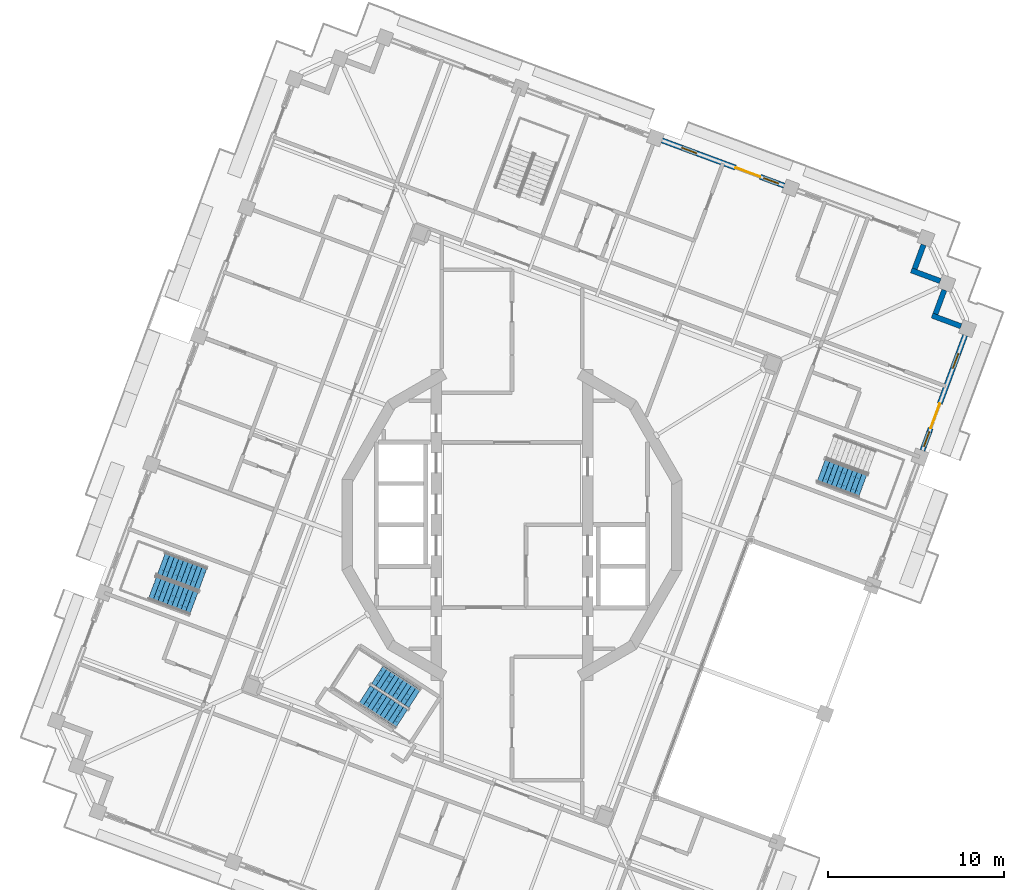
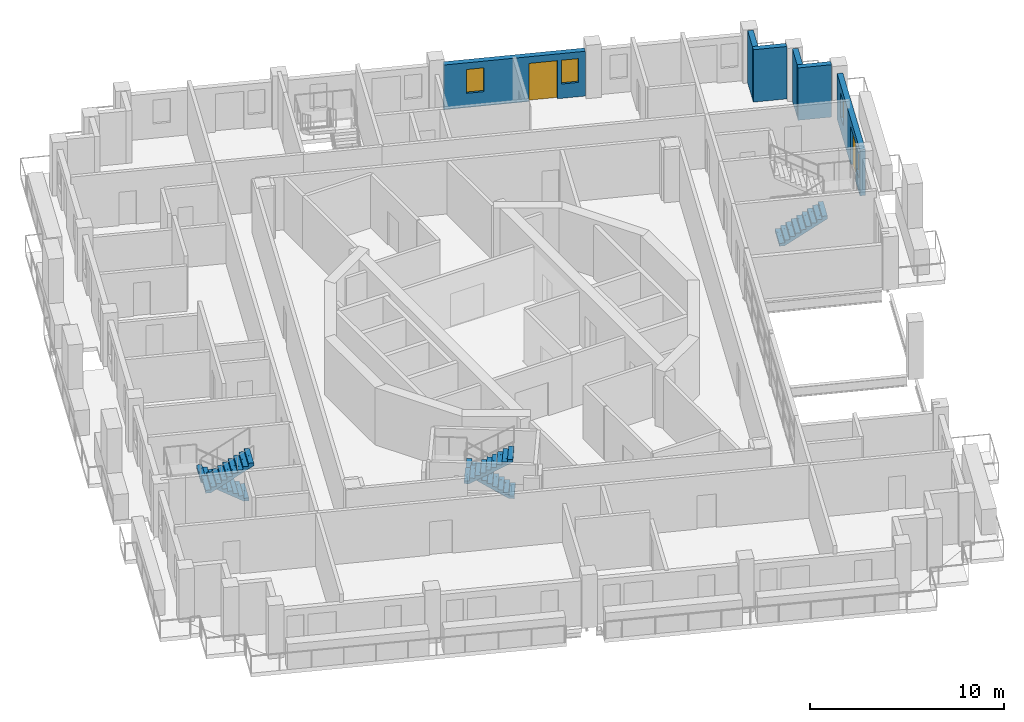
# One storey, part 11 of 19: 6 walls, 5 stair flights, 4 windows, 2 doors, 6 openings, 3 elements without a shape of their own.
"""IFC4 building model written with IfcOpenShell, lengths in metres."""

from ifc_helpers import new_model, si_unit, direction, frame, frame_2d, origin, place, context, subcontext, project, spatial, polyline, rectangle, outline, extrude, material, layer, layer_set, type_object, element, fill, aggregate, save


model = new_model("IFC4")

# Units and contexts
model_context = context("Model", 3, precision=1e-05, world=origin(), true_north=direction((0.0, 1.0)))
body_context = subcontext(model_context, "Body", "Model", "MODEL_VIEW")
ifc_project = project(units=[si_unit("LENGTHUNIT", "METRE"), si_unit("AREAUNIT", "SQUARE_METRE"), si_unit("VOLUMEUNIT", "CUBIC_METRE"), si_unit("PLANEANGLEUNIT", "RADIAN"), si_unit("MASSUNIT", "GRAM", prefix="KILO")], contexts=[model_context])

# Site, building, storey
site_placement = place(None, origin())
site = spatial("IfcSite", under=ifc_project, at=site_placement, CompositionType="ELEMENT")
building_placement = place(site_placement, origin())
building = spatial("IfcBuilding", under=site, at=building_placement, Name="Cantera Rosa Tower", CompositionType="ELEMENT")
storey_placement = place(building_placement, frame((0.0, 0.0, 331.300048828125)))
storey = spatial("IfcBuildingStorey", under=building, at=storey_placement, Name="L74", CompositionType="ELEMENT", Elevation=331.300048828125)

# Walls
ifc_material_1 = material(Name="Hollow clay masonry with cantera stone cladding", Category="masonry")
ifc_layer_1 = layer(ifc_material_1, 0.300048828125)
ifc_layer_set_1 = layer_set([ifc_layer_1], Name="EW-LOGGIA 300")
wall_type_1 = type_object("IfcWallType", Name="EW-LOGGIA 300", PredefinedType="SOLIDWALL", material=ifc_layer_set_1)
wall_1_placement = place(storey_placement, frame((25.51220703125, 11.288330078125, 0.0), z_axis=(0.0, 0.0, 1.0), x_axis=(-0.937669639538, 0.34752790836, 0.0)))
element("IfcWall", 1, at=wall_1_placement, inside=storey, type_object=wall_type_1, Name="EN-L74-W25a", PredefinedType="SOLIDWALL", context=body_context, shape_type="SweptSolid", body=[
    extrude(rectangle(XDim=1.75, YDim=0.300048828125, at=frame_2d((0.875, 0.0))), origin(), (0.0, 0.0, 1.0), 3.300048828125),
])
wall_2_placement = place(storey_placement, frame((24.06396484375, 11.985107421875, 0.0), z_axis=(0.0, 0.0, 1.0), x_axis=(0.347522732201, 0.937671557958, 0.0)))
element("IfcWall", 2, at=wall_2_placement, inside=storey, type_object=wall_type_1, Name="EN-L74-W25b", PredefinedType="SOLIDWALL", context=body_context, shape_type="SweptSolid", body=[
    extrude(rectangle(XDim=1.449951171875, YDim=0.300048828125, at=frame_2d((0.72509765625, 0.0))), origin(), (0.0, 0.0, 1.0), 3.300048828125),
])
wall_3_placement = place(storey_placement, frame((24.331787109375, 13.858642578125, 0.0), z_axis=(0.0, 0.0, 1.0), x_axis=(-0.937669639538, 0.34752790836, 0.0)))
element("IfcWall", 3, at=wall_3_placement, inside=storey, type_object=wall_type_1, Name="EN-L74-W26a", PredefinedType="SOLIDWALL", context=body_context, shape_type="SweptSolid", body=[
    extrude(rectangle(XDim=1.75, YDim=0.300048828125, at=frame_2d((0.875, 0.0))), origin(), (0.0, 0.0, 1.0), 3.300048828125),
])
wall_4_placement = place(storey_placement, frame((22.883544921875, 14.555419921875, 0.0), z_axis=(0.0, 0.0, 1.0), x_axis=(0.347522732201, 0.937671557958, 0.0)))
element("IfcWall", 4, at=wall_4_placement, inside=storey, type_object=wall_type_1, Name="EN-L74-W26b", PredefinedType="SOLIDWALL", context=body_context, shape_type="SweptSolid", body=[
    extrude(rectangle(XDim=1.449951171875, YDim=0.300048828125, at=frame_2d((0.72509765625, 0.0))), origin(), (0.0, 0.0, 1.0), 3.300048828125),
])

# Wall, openings, windows, door
ifc_material_2 = material(Name="Hollow clay masonry with cantera stone cladding", Category="masonry")
ifc_layer_2 = layer(ifc_material_2, 0.300048828125)
ifc_layer_set_2 = layer_set([ifc_layer_2], Name="EW-LOGGIA 300 H2820")
wall_type_2 = type_object("IfcWallType", Name="EW-LOGGIA 300 H2820", PredefinedType="SOLIDWALL", material=ifc_layer_set_2)
wall_5_placement = place(storey_placement, frame((15.46240234375, 19.2783203125, 0.0), z_axis=(0.0, 0.0, 1.0), x_axis=(-0.937680690562, 0.34749808999, 0.0)))
wall_5 = element("IfcWall", 5, at=wall_5_placement, inside=storey, type_object=wall_type_2, Name="EN-L74-W02", PredefinedType="SOLIDWALL", context=body_context, shape_type="SweptSolid", body=[
    extrude(rectangle(XDim=7.400146484375, YDim=0.300048828125, at=frame_2d((3.7001953125, 0.0))), origin(), (0.0, 0.0, 1.0), 2.820068359375),
])
opening_1_placement = place(wall_5_placement, frame((0.35009765625, 0.0, 0.89990234375)))
opening_1 = element("IfcOpeningElement", 6, at=opening_1_placement, cuts=wall_5, Name="Opening L74-W04", PredefinedType="OPENING", context=body_context, shape_type="SweptSolid", body=[
    extrude(rectangle(XDim=0.89990234375, YDim=1.5, at=frame_2d((0.449951171875, 0.75))), frame((0.0, 0.159912109375, 0.0), z_axis=(0.0, -1.0, 0.0), x_axis=(1.0, 0.0, 0.0)), (0.0, 0.0, 1.0), 0.320068359375),
])
opening_2_placement = place(wall_5_placement, frame((1.449951171875, 0.0, 0.0)))
opening_2 = element("IfcOpeningElement", 7, at=opening_2_placement, cuts=wall_5, Name="Opening L74-TD05", PredefinedType="OPENING", context=body_context, shape_type="SweptSolid", body=[
    extrude(rectangle(XDim=1.5, YDim=2.39990234375, at=frame_2d((0.75, 1.199951171875))), frame((0.0, 0.159912109375, 0.0), z_axis=(0.0, -1.0, 0.0), x_axis=(1.0, 0.0, 0.0)), (0.0, 0.0, 1.0), 0.320068359375),
])
opening_3_placement = place(wall_5_placement, frame((5.300048828125, 0.0, 0.89990234375)))
opening_3 = element("IfcOpeningElement", 8, at=opening_3_placement, cuts=wall_5, Name="Opening L74-W06", PredefinedType="OPENING", context=body_context, shape_type="SweptSolid", body=[
    extrude(rectangle(XDim=0.89990234375, YDim=1.5, at=frame_2d((0.449951171875, 0.75))), frame((0.0, 0.159912109375, 0.0), z_axis=(0.0, -1.0, 0.0), x_axis=(1.0, 0.0, 0.0)), (0.0, 0.0, 1.0), 0.320068359375),
])
ifc_material_3 = material(Name="Aluminium frame with clear glass", Category="aluminium")
window_type = type_object("IfcWindowType", Name="Residential window 900x1500", PartitioningType="SINGLE_PANEL", PredefinedType="WINDOW", material=ifc_material_3)
window_1_placement = place(opening_1_placement, origin())
window_1 = element("IfcWindow", 9, at=window_1_placement, inside=storey, type_object=window_type, Name="WINDOW L74-W04", OverallHeight=1.5, OverallWidth=0.89990234375, PartitioningType="SINGLE_PANEL", PredefinedType="WINDOW", context=body_context, shape_type="SweptSolid", body=[
    extrude(rectangle(XDim=0.89990234375, YDim=1.5, at=frame_2d((0.449951171875, 0.75))), frame((0.0, 0.030029296875, 0.0), z_axis=(0.0, -1.0, 0.0), x_axis=(1.0, 0.0, 0.0)), (0.0, 0.0, 1.0), 0.06005859375),
])
fill(opening_1, window_1)
window_2_placement = place(opening_3_placement, origin())
window_2 = element("IfcWindow", 10, at=window_2_placement, inside=storey, type_object=window_type, Name="WINDOW L74-W06", OverallHeight=1.5, OverallWidth=0.89990234375, PartitioningType="SINGLE_PANEL", PredefinedType="WINDOW", context=body_context, shape_type="SweptSolid", body=[
    extrude(rectangle(XDim=0.89990234375, YDim=1.5, at=frame_2d((0.449951171875, 0.75))), frame((0.0, 0.030029296875, 0.0), z_axis=(0.0, -1.0, 0.0), x_axis=(1.0, 0.0, 0.0)), (0.0, 0.0, 1.0), 0.06005859375),
])
fill(opening_3, window_2)
ifc_material_4 = material(Name="Aluminium frame with clear glass", Category="aluminium")
door_type = type_object("IfcDoorType", Name="TD-R 1500x2400", OperationType="NOTDEFINED", PredefinedType="DOOR", material=ifc_material_4)
door_1_placement = place(opening_2_placement, origin())
door_1 = element("IfcDoor", 11, at=door_1_placement, inside=storey, type_object=door_type, Name="LOGGIA DOOR L74-TD05", OperationType="SLIDING_TO_LEFT", OverallHeight=2.39990234375, OverallWidth=1.5, PredefinedType="DOOR", context=body_context, shape_type="SweptSolid", body=[
    extrude(rectangle(XDim=1.5, YDim=2.39990234375, at=frame_2d((0.75, 1.199951171875))), frame((0.0, 0.02490234375, 0.0), z_axis=(0.0, -1.0, 0.0), x_axis=(1.0, 0.0, 0.0)), (0.0, 0.0, 1.0), 0.050048828125),
])
fill(opening_2, door_1)

ifc_material_5 = material(Name="Hollow clay masonry with cantera stone cladding", Category="masonry")
ifc_layer_3 = layer(ifc_material_5, 0.300048828125)
ifc_layer_set_3 = layer_set([ifc_layer_3], Name="EW-LOGGIA 300 H2890")
wall_type_3 = type_object("IfcWallType", Name="EW-LOGGIA 300 H2890", PredefinedType="SOLIDWALL", material=ifc_layer_set_3)
wall_6_placement = place(storey_placement, frame((23.322998046875, 4.229248046875, 0.0), z_axis=(0.0, 0.0, 1.0), x_axis=(0.347460165909, 0.937694744097, 0.0)))
wall_6 = element("IfcWall", 12, at=wall_6_placement, inside=storey, type_object=wall_type_3, Name="EN-L74-W24", PredefinedType="SOLIDWALL", context=body_context, shape_type="SweptSolid", body=[
    extrude(rectangle(XDim=6.97998046875, YDim=0.300048828125, at=frame_2d((3.489990234375, 0.0))), origin(), (0.0, 0.0, 1.0), 2.889892578125),
])
opening_4_placement = place(wall_6_placement, frame((0.2451171875, 0.0, 0.89990234375)))
opening_4 = element("IfcOpeningElement", 13, at=opening_4_placement, cuts=wall_6, Name="Opening L74-W46", PredefinedType="OPENING", context=body_context, shape_type="SweptSolid", body=[
    extrude(rectangle(XDim=0.89990234375, YDim=1.5, at=frame_2d((0.449951171875, 0.75))), frame((0.0, 0.159912109375, 0.0), z_axis=(0.0, -1.0, 0.0), x_axis=(1.0, 0.0, 0.0)), (0.0, 0.0, 1.0), 0.320068359375),
])
opening_5_placement = place(wall_6_placement, frame((1.344970703125, 0.0, 0.0)))
opening_5 = element("IfcOpeningElement", 14, at=opening_5_placement, cuts=wall_6, Name="Opening L74-TD47", PredefinedType="OPENING", context=body_context, shape_type="SweptSolid", body=[
    extrude(rectangle(XDim=1.5, YDim=2.39990234375, at=frame_2d((0.75, 1.199951171875))), frame((0.0, 0.159912109375, 0.0), z_axis=(0.0, -1.0, 0.0), x_axis=(1.0, 0.0, 0.0)), (0.0, 0.0, 1.0), 0.320068359375),
])
opening_6_placement = place(wall_6_placement, frame((4.985107421875, 0.0, 0.89990234375)))
opening_6 = element("IfcOpeningElement", 15, at=opening_6_placement, cuts=wall_6, Name="Opening L74-W48", PredefinedType="OPENING", context=body_context, shape_type="SweptSolid", body=[
    extrude(rectangle(XDim=0.89990234375, YDim=1.5, at=frame_2d((0.449951171875, 0.75))), frame((0.0, 0.159912109375, 0.0), z_axis=(0.0, -1.0, 0.0), x_axis=(1.0, 0.0, 0.0)), (0.0, 0.0, 1.0), 0.320068359375),
])
window_3_placement = place(opening_4_placement, origin())
window_3 = element("IfcWindow", 16, at=window_3_placement, inside=storey, type_object=window_type, Name="WINDOW L74-W46", OverallHeight=1.5, OverallWidth=0.89990234375, PartitioningType="SINGLE_PANEL", PredefinedType="WINDOW", context=body_context, shape_type="SweptSolid", body=[
    extrude(rectangle(XDim=0.89990234375, YDim=1.5, at=frame_2d((0.449951171875, 0.75))), frame((0.0, 0.030029296875, 0.0), z_axis=(0.0, -1.0, 0.0), x_axis=(1.0, 0.0, 0.0)), (0.0, 0.0, 1.0), 0.06005859375),
])
fill(opening_4, window_3)
window_4_placement = place(opening_6_placement, origin())
window_4 = element("IfcWindow", 17, at=window_4_placement, inside=storey, type_object=window_type, Name="WINDOW L74-W48", OverallHeight=1.5, OverallWidth=0.89990234375, PartitioningType="SINGLE_PANEL", PredefinedType="WINDOW", context=body_context, shape_type="SweptSolid", body=[
    extrude(rectangle(XDim=0.89990234375, YDim=1.5, at=frame_2d((0.449951171875, 0.75))), frame((0.0, 0.030029296875, 0.0), z_axis=(0.0, -1.0, 0.0), x_axis=(1.0, 0.0, 0.0)), (0.0, 0.0, 1.0), 0.06005859375),
])
fill(opening_6, window_4)
door_2_placement = place(opening_5_placement, origin())
door_2 = element("IfcDoor", 18, at=door_2_placement, inside=storey, type_object=door_type, Name="LOGGIA DOOR L74-TD47", OperationType="SLIDING_TO_LEFT", OverallHeight=2.39990234375, OverallWidth=1.5, PredefinedType="DOOR", context=body_context, shape_type="SweptSolid", body=[
    extrude(rectangle(XDim=1.5, YDim=2.39990234375, at=frame_2d((0.75, 1.199951171875))), frame((0.0, 0.02490234375, 0.0), z_axis=(0.0, -1.0, 0.0), x_axis=(1.0, 0.0, 0.0)), (0.0, 0.0, 1.0), 0.050048828125),
])
fill(opening_5, door_2)

# Stair, stair flights
ifc_material_6 = material(Name="Concrete C35/45", Category="concrete")
stair_type_1 = type_object("IfcStairType", Name="EXIT STAIR 1200 DOGLEG", PredefinedType="HALF_TURN_STAIR", material=ifc_material_6)
stair_1_placement = place(storey_placement, origin())
stair_1 = element("IfcStair", 19, at=stair_1_placement, inside=storey, type_object=stair_type_1, Name="L74 ST-64", PredefinedType="HALF_TURN_STAIR")
ifc_material_7 = material(Name="Concrete C35/45", Category="concrete")
stair_flight_type_1 = type_object("IfcStairFlightType", Name="STAIR FLIGHT 1200 R20x180", PredefinedType="STRAIGHT", material=ifc_material_7)
stair_flight_1_placement = place(storey_placement, frame((-5.532470703125, -9.878173828125, 0.0), z_axis=(0.0, 0.0, 1.0), x_axis=(-0.838670567945, 0.544639035015, 0.0)))
stair_flight_1 = element("IfcStairFlight", 20, at=stair_flight_1_placement, type_object=stair_flight_type_1, Name="ST-64 flight 1", NumberOfRisers=10, NumberOfTreads=9, PredefinedType="STRAIGHT", RiserHeight=0.18, TreadLength=0.28, context=body_context, shape_type="SweptSolid", body=[
    extrude(outline(polyline([(0.0, 0.0), (0.0, 0.179931640625), (0.280029296875, 0.179931640625), (0.280029296875, 0.360107421875), (0.56005859375, 0.360107421875), (0.56005859375, 0.5400390625), (0.840087890625, 0.5400390625), (0.840087890625, 0.719970703125), (1.1201171875, 0.719970703125), (1.1201171875, 0.89990234375), (1.39990234375, 0.89990234375), (1.39990234375, 1.080078125), (1.679931640625, 1.080078125), (1.679931640625, 1.260009765625), (1.9599609375, 1.260009765625), (1.9599609375, 1.43994140625), (2.239990234375, 1.43994140625), (2.239990234375, 1.6201171875), (2.52001953125, 1.6201171875), (2.52001953125, 1.800048828125), (2.52001953125, 1.44189453125), (0.277099609375, 0.0), (0.0, 0.0)])), frame((0.0, 0.60009765625, 0.0), z_axis=(0.0, -1.0, 0.0), x_axis=(1.0, 0.0, 0.0)), (0.0, 0.0, 1.0), 0.298583984375),
    extrude(outline(polyline([(0.0, 0.0), (0.0, 0.179931640625), (0.280029296875, 0.179931640625), (0.280029296875, 0.360107421875), (0.56005859375, 0.360107421875), (0.56005859375, 0.5400390625), (0.840087890625, 0.5400390625), (0.840087890625, 0.719970703125), (1.1201171875, 0.719970703125), (1.1201171875, 0.89990234375), (1.39990234375, 0.89990234375), (1.39990234375, 1.080078125), (1.679931640625, 1.080078125), (1.679931640625, 1.260009765625), (1.9599609375, 1.260009765625), (1.9599609375, 1.43994140625), (2.239990234375, 1.43994140625), (2.239990234375, 1.6201171875), (2.52001953125, 1.6201171875), (2.52001953125, 1.800048828125), (2.52001953125, 1.44189453125), (0.277099609375, 0.0), (0.0, 0.0)])), frame((0.0, 0.29931640625, 0.0), z_axis=(0.0, -1.0, 0.0), x_axis=(1.0, 0.0, 0.0)), (0.0, 0.0, 1.0), 0.298583984375),
    extrude(outline(polyline([(0.0, 0.0), (0.0, 0.179931640625), (0.280029296875, 0.179931640625), (0.280029296875, 0.360107421875), (0.56005859375, 0.360107421875), (0.56005859375, 0.5400390625), (0.840087890625, 0.5400390625), (0.840087890625, 0.719970703125), (1.1201171875, 0.719970703125), (1.1201171875, 0.89990234375), (1.39990234375, 0.89990234375), (1.39990234375, 1.080078125), (1.679931640625, 1.080078125), (1.679931640625, 1.260009765625), (1.9599609375, 1.260009765625), (1.9599609375, 1.43994140625), (2.239990234375, 1.43994140625), (2.239990234375, 1.6201171875), (2.52001953125, 1.6201171875), (2.52001953125, 1.800048828125), (2.52001953125, 1.44189453125), (0.277099609375, 0.0), (0.0, 0.0)])), frame((0.0, -0.0009765625, 0.0), z_axis=(0.0, -1.0, 0.0), x_axis=(1.0, 0.0, 0.0)), (0.0, 0.0, 1.0), 0.298583984375),
    extrude(outline(polyline([(0.0, 0.0), (0.0, 0.179931640625), (0.280029296875, 0.179931640625), (0.280029296875, 0.360107421875), (0.56005859375, 0.360107421875), (0.56005859375, 0.5400390625), (0.840087890625, 0.5400390625), (0.840087890625, 0.719970703125), (1.1201171875, 0.719970703125), (1.1201171875, 0.89990234375), (1.39990234375, 0.89990234375), (1.39990234375, 1.080078125), (1.679931640625, 1.080078125), (1.679931640625, 1.260009765625), (1.9599609375, 1.260009765625), (1.9599609375, 1.43994140625), (2.239990234375, 1.43994140625), (2.239990234375, 1.6201171875), (2.52001953125, 1.6201171875), (2.52001953125, 1.800048828125), (2.52001953125, 1.44189453125), (0.277099609375, 0.0), (0.0, 0.0)])), frame((0.0, -0.3017578125, 0.0), z_axis=(0.0, -1.0, 0.0), x_axis=(1.0, 0.0, 0.0)), (0.0, 0.0, 1.0), 0.298583984375),
])
stair_flight_2_placement = place(storey_placement, frame((-8.381103515625, -9.6376953125, 1.800048828125), z_axis=(0.0, 0.0, 1.0), x_axis=(0.838670567945, -0.544639035015, 0.0)))
stair_flight_2 = element("IfcStairFlight", 21, at=stair_flight_2_placement, type_object=stair_flight_type_1, Name="ST-64 flight 2", NumberOfRisers=10, NumberOfTreads=9, PredefinedType="STRAIGHT", RiserHeight=0.18, TreadLength=0.28, context=body_context, shape_type="SweptSolid", body=[
    extrude(outline(polyline([(0.0, 0.0), (0.0, 0.179931640625), (0.280029296875, 0.179931640625), (0.280029296875, 0.360107421875), (0.56005859375, 0.360107421875), (0.56005859375, 0.5400390625), (0.840087890625, 0.5400390625), (0.840087890625, 0.719970703125), (1.1201171875, 0.719970703125), (1.1201171875, 0.89990234375), (1.39990234375, 0.89990234375), (1.39990234375, 1.080078125), (1.679931640625, 1.080078125), (1.679931640625, 1.260009765625), (1.9599609375, 1.260009765625), (1.9599609375, 1.43994140625), (2.239990234375, 1.43994140625), (2.239990234375, 1.6201171875), (2.52001953125, 1.6201171875), (2.52001953125, 1.800048828125), (2.52001953125, 1.44189453125), (0.277099609375, 0.0), (0.0, 0.0)])), frame((0.0, 0.60009765625, 0.0), z_axis=(0.0, -1.0, 0.0), x_axis=(1.0, 0.0, 0.0)), (0.0, 0.0, 1.0), 0.298583984375),
    extrude(outline(polyline([(0.0, 0.0), (0.0, 0.179931640625), (0.280029296875, 0.179931640625), (0.280029296875, 0.360107421875), (0.56005859375, 0.360107421875), (0.56005859375, 0.5400390625), (0.840087890625, 0.5400390625), (0.840087890625, 0.719970703125), (1.1201171875, 0.719970703125), (1.1201171875, 0.89990234375), (1.39990234375, 0.89990234375), (1.39990234375, 1.080078125), (1.679931640625, 1.080078125), (1.679931640625, 1.260009765625), (1.9599609375, 1.260009765625), (1.9599609375, 1.43994140625), (2.239990234375, 1.43994140625), (2.239990234375, 1.6201171875), (2.52001953125, 1.6201171875), (2.52001953125, 1.800048828125), (2.52001953125, 1.44189453125), (0.277099609375, 0.0), (0.0, 0.0)])), frame((0.0, 0.29931640625, 0.0), z_axis=(0.0, -1.0, 0.0), x_axis=(1.0, 0.0, 0.0)), (0.0, 0.0, 1.0), 0.298583984375),
    extrude(outline(polyline([(0.0, 0.0), (0.0, 0.179931640625), (0.280029296875, 0.179931640625), (0.280029296875, 0.360107421875), (0.56005859375, 0.360107421875), (0.56005859375, 0.5400390625), (0.840087890625, 0.5400390625), (0.840087890625, 0.719970703125), (1.1201171875, 0.719970703125), (1.1201171875, 0.89990234375), (1.39990234375, 0.89990234375), (1.39990234375, 1.080078125), (1.679931640625, 1.080078125), (1.679931640625, 1.260009765625), (1.9599609375, 1.260009765625), (1.9599609375, 1.43994140625), (2.239990234375, 1.43994140625), (2.239990234375, 1.6201171875), (2.52001953125, 1.6201171875), (2.52001953125, 1.800048828125), (2.52001953125, 1.44189453125), (0.277099609375, 0.0), (0.0, 0.0)])), frame((0.0, -0.0009765625, 0.0), z_axis=(0.0, -1.0, 0.0), x_axis=(1.0, 0.0, 0.0)), (0.0, 0.0, 1.0), 0.298583984375),
    extrude(outline(polyline([(0.0, 0.0), (0.0, 0.179931640625), (0.280029296875, 0.179931640625), (0.280029296875, 0.360107421875), (0.56005859375, 0.360107421875), (0.56005859375, 0.5400390625), (0.840087890625, 0.5400390625), (0.840087890625, 0.719970703125), (1.1201171875, 0.719970703125), (1.1201171875, 0.89990234375), (1.39990234375, 0.89990234375), (1.39990234375, 1.080078125), (1.679931640625, 1.080078125), (1.679931640625, 1.260009765625), (1.9599609375, 1.260009765625), (1.9599609375, 1.43994140625), (2.239990234375, 1.43994140625), (2.239990234375, 1.6201171875), (2.52001953125, 1.6201171875), (2.52001953125, 1.800048828125), (2.52001953125, 1.44189453125), (0.277099609375, 0.0), (0.0, 0.0)])), frame((0.0, -0.3017578125, 0.0), z_axis=(0.0, -1.0, 0.0), x_axis=(1.0, 0.0, 0.0)), (0.0, 0.0, 1.0), 0.298583984375),
])
aggregate(stair_1, [stair_flight_1, stair_flight_2])

# Stair, stair flight
ifc_material_8 = material(Name="Concrete C35/45", Category="concrete")
stair_type_2 = type_object("IfcStairType", Name="EXIT STAIR 1350 DOGLEG", PredefinedType="HALF_TURN_STAIR", material=ifc_material_8)
stair_2_placement = place(storey_placement, origin())
stair_2 = element("IfcStair", 22, at=stair_2_placement, inside=storey, type_object=stair_type_2, Name="L74 ST-61", PredefinedType="HALF_TURN_STAIR")
ifc_material_9 = material(Name="Concrete C35/45", Category="concrete")
stair_flight_type_2 = type_object("IfcStairFlightType", Name="STAIR FLIGHT 1350 R20x180", PredefinedType="STRAIGHT", material=ifc_material_9)
stair_flight_3_placement = place(storey_placement, frame((17.55908203125, 3.064453125, 0.0), z_axis=(0.0, 0.0, 1.0), x_axis=(0.937686938944, -0.347481229039, 0.0)))
stair_flight_3 = element("IfcStairFlight", 23, at=stair_flight_3_placement, type_object=stair_flight_type_2, Name="ST-61 flight 1", NumberOfRisers=10, NumberOfTreads=9, PredefinedType="STRAIGHT", RiserHeight=0.18, TreadLength=0.28, context=body_context, shape_type="SweptSolid", body=[
    extrude(outline(polyline([(0.0, 0.0), (0.0, 0.179931640625), (0.280029296875, 0.179931640625), (0.280029296875, 0.360107421875), (0.56005859375, 0.360107421875), (0.56005859375, 0.5400390625), (0.840087890625, 0.5400390625), (0.840087890625, 0.719970703125), (1.1201171875, 0.719970703125), (1.1201171875, 0.89990234375), (1.39990234375, 0.89990234375), (1.39990234375, 1.080078125), (1.679931640625, 1.080078125), (1.679931640625, 1.260009765625), (1.9599609375, 1.260009765625), (1.9599609375, 1.43994140625), (2.239990234375, 1.43994140625), (2.239990234375, 1.6201171875), (2.52001953125, 1.6201171875), (2.52001953125, 1.800048828125), (2.52001953125, 1.44189453125), (0.277099609375, 0.0), (0.0, 0.0)])), frame((0.0, 0.675048828125, 0.0), z_axis=(0.0, -1.0, 0.0), x_axis=(1.0, 0.0, 0.0)), (0.0, 0.0, 1.0), 0.3359375),
    extrude(outline(polyline([(0.0, 0.0), (0.0, 0.179931640625), (0.280029296875, 0.179931640625), (0.280029296875, 0.360107421875), (0.56005859375, 0.360107421875), (0.56005859375, 0.5400390625), (0.840087890625, 0.5400390625), (0.840087890625, 0.719970703125), (1.1201171875, 0.719970703125), (1.1201171875, 0.89990234375), (1.39990234375, 0.89990234375), (1.39990234375, 1.080078125), (1.679931640625, 1.080078125), (1.679931640625, 1.260009765625), (1.9599609375, 1.260009765625), (1.9599609375, 1.43994140625), (2.239990234375, 1.43994140625), (2.239990234375, 1.6201171875), (2.52001953125, 1.6201171875), (2.52001953125, 1.800048828125), (2.52001953125, 1.44189453125), (0.277099609375, 0.0), (0.0, 0.0)])), frame((0.0, 0.337158203125, 0.0), z_axis=(0.0, -1.0, 0.0), x_axis=(1.0, 0.0, 0.0)), (0.0, 0.0, 1.0), 0.3359375),
    extrude(outline(polyline([(0.0, 0.0), (0.0, 0.179931640625), (0.280029296875, 0.179931640625), (0.280029296875, 0.360107421875), (0.56005859375, 0.360107421875), (0.56005859375, 0.5400390625), (0.840087890625, 0.5400390625), (0.840087890625, 0.719970703125), (1.1201171875, 0.719970703125), (1.1201171875, 0.89990234375), (1.39990234375, 0.89990234375), (1.39990234375, 1.080078125), (1.679931640625, 1.080078125), (1.679931640625, 1.260009765625), (1.9599609375, 1.260009765625), (1.9599609375, 1.43994140625), (2.239990234375, 1.43994140625), (2.239990234375, 1.6201171875), (2.52001953125, 1.6201171875), (2.52001953125, 1.800048828125), (2.52001953125, 1.44189453125), (0.277099609375, 0.0), (0.0, 0.0)])), frame((0.0, -0.000732421875, 0.0), z_axis=(0.0, -1.0, 0.0), x_axis=(1.0, 0.0, 0.0)), (0.0, 0.0, 1.0), 0.3359375),
    extrude(outline(polyline([(0.0, 0.0), (0.0, 0.179931640625), (0.280029296875, 0.179931640625), (0.280029296875, 0.360107421875), (0.56005859375, 0.360107421875), (0.56005859375, 0.5400390625), (0.840087890625, 0.5400390625), (0.840087890625, 0.719970703125), (1.1201171875, 0.719970703125), (1.1201171875, 0.89990234375), (1.39990234375, 0.89990234375), (1.39990234375, 1.080078125), (1.679931640625, 1.080078125), (1.679931640625, 1.260009765625), (1.9599609375, 1.260009765625), (1.9599609375, 1.43994140625), (2.239990234375, 1.43994140625), (2.239990234375, 1.6201171875), (2.52001953125, 1.6201171875), (2.52001953125, 1.800048828125), (2.52001953125, 1.44189453125), (0.277099609375, 0.0), (0.0, 0.0)])), frame((0.0, -0.338623046875, 0.0), z_axis=(0.0, -1.0, 0.0), x_axis=(1.0, 0.0, 0.0)), (0.0, 0.0, 1.0), 0.3359375),
])
aggregate(stair_2, [stair_flight_3])

# Stair, stair flights
stair_3_placement = place(storey_placement, origin())
stair_3 = element("IfcStair", 24, at=stair_3_placement, inside=storey, type_object=stair_type_2, Name="L74 ST-63", PredefinedType="HALF_TURN_STAIR")
stair_flight_4_placement = place(storey_placement, frame((-17.55908203125, -3.064453125, 0.0), z_axis=(0.0, 0.0, 1.0), x_axis=(-0.937686938944, 0.347481229039, 0.0)))
stair_flight_4 = element("IfcStairFlight", 25, at=stair_flight_4_placement, type_object=stair_flight_type_2, Name="ST-63 flight 1", NumberOfRisers=10, NumberOfTreads=9, PredefinedType="STRAIGHT", RiserHeight=0.18, TreadLength=0.28, context=body_context, shape_type="SweptSolid", body=[
    extrude(outline(polyline([(0.0, 0.0), (0.0, 0.179931640625), (0.280029296875, 0.179931640625), (0.280029296875, 0.360107421875), (0.56005859375, 0.360107421875), (0.56005859375, 0.5400390625), (0.840087890625, 0.5400390625), (0.840087890625, 0.719970703125), (1.1201171875, 0.719970703125), (1.1201171875, 0.89990234375), (1.39990234375, 0.89990234375), (1.39990234375, 1.080078125), (1.679931640625, 1.080078125), (1.679931640625, 1.260009765625), (1.9599609375, 1.260009765625), (1.9599609375, 1.43994140625), (2.239990234375, 1.43994140625), (2.239990234375, 1.6201171875), (2.52001953125, 1.6201171875), (2.52001953125, 1.800048828125), (2.52001953125, 1.44189453125), (0.277099609375, 0.0), (0.0, 0.0)])), frame((0.0, 0.675048828125, 0.0), z_axis=(0.0, -1.0, 0.0), x_axis=(1.0, 0.0, 0.0)), (0.0, 0.0, 1.0), 0.3359375),
    extrude(outline(polyline([(0.0, 0.0), (0.0, 0.179931640625), (0.280029296875, 0.179931640625), (0.280029296875, 0.360107421875), (0.56005859375, 0.360107421875), (0.56005859375, 0.5400390625), (0.840087890625, 0.5400390625), (0.840087890625, 0.719970703125), (1.1201171875, 0.719970703125), (1.1201171875, 0.89990234375), (1.39990234375, 0.89990234375), (1.39990234375, 1.080078125), (1.679931640625, 1.080078125), (1.679931640625, 1.260009765625), (1.9599609375, 1.260009765625), (1.9599609375, 1.43994140625), (2.239990234375, 1.43994140625), (2.239990234375, 1.6201171875), (2.52001953125, 1.6201171875), (2.52001953125, 1.800048828125), (2.52001953125, 1.44189453125), (0.277099609375, 0.0), (0.0, 0.0)])), frame((0.0, 0.337158203125, 0.0), z_axis=(0.0, -1.0, 0.0), x_axis=(1.0, 0.0, 0.0)), (0.0, 0.0, 1.0), 0.3359375),
    extrude(outline(polyline([(0.0, 0.0), (0.0, 0.179931640625), (0.280029296875, 0.179931640625), (0.280029296875, 0.360107421875), (0.56005859375, 0.360107421875), (0.56005859375, 0.5400390625), (0.840087890625, 0.5400390625), (0.840087890625, 0.719970703125), (1.1201171875, 0.719970703125), (1.1201171875, 0.89990234375), (1.39990234375, 0.89990234375), (1.39990234375, 1.080078125), (1.679931640625, 1.080078125), (1.679931640625, 1.260009765625), (1.9599609375, 1.260009765625), (1.9599609375, 1.43994140625), (2.239990234375, 1.43994140625), (2.239990234375, 1.6201171875), (2.52001953125, 1.6201171875), (2.52001953125, 1.800048828125), (2.52001953125, 1.44189453125), (0.277099609375, 0.0), (0.0, 0.0)])), frame((0.0, -0.000732421875, 0.0), z_axis=(0.0, -1.0, 0.0), x_axis=(1.0, 0.0, 0.0)), (0.0, 0.0, 1.0), 0.3359375),
    extrude(outline(polyline([(0.0, 0.0), (0.0, 0.179931640625), (0.280029296875, 0.179931640625), (0.280029296875, 0.360107421875), (0.56005859375, 0.360107421875), (0.56005859375, 0.5400390625), (0.840087890625, 0.5400390625), (0.840087890625, 0.719970703125), (1.1201171875, 0.719970703125), (1.1201171875, 0.89990234375), (1.39990234375, 0.89990234375), (1.39990234375, 1.080078125), (1.679931640625, 1.080078125), (1.679931640625, 1.260009765625), (1.9599609375, 1.260009765625), (1.9599609375, 1.43994140625), (2.239990234375, 1.43994140625), (2.239990234375, 1.6201171875), (2.52001953125, 1.6201171875), (2.52001953125, 1.800048828125), (2.52001953125, 1.44189453125), (0.277099609375, 0.0), (0.0, 0.0)])), frame((0.0, -0.338623046875, 0.0), z_axis=(0.0, -1.0, 0.0), x_axis=(1.0, 0.0, 0.0)), (0.0, 0.0, 1.0), 0.3359375),
])
stair_flight_5_placement = place(storey_placement, frame((-20.443115234375, -3.595458984375, 1.800048828125), z_axis=(0.0, 0.0, 1.0), x_axis=(0.937686938944, -0.347481229039, 0.0)))
stair_flight_5 = element("IfcStairFlight", 26, at=stair_flight_5_placement, type_object=stair_flight_type_2, Name="ST-63 flight 2", NumberOfRisers=10, NumberOfTreads=9, PredefinedType="STRAIGHT", RiserHeight=0.18, TreadLength=0.28, context=body_context, shape_type="SweptSolid", body=[
    extrude(outline(polyline([(0.0, 0.0), (0.0, 0.179931640625), (0.280029296875, 0.179931640625), (0.280029296875, 0.360107421875), (0.56005859375, 0.360107421875), (0.56005859375, 0.5400390625), (0.840087890625, 0.5400390625), (0.840087890625, 0.719970703125), (1.1201171875, 0.719970703125), (1.1201171875, 0.89990234375), (1.39990234375, 0.89990234375), (1.39990234375, 1.080078125), (1.679931640625, 1.080078125), (1.679931640625, 1.260009765625), (1.9599609375, 1.260009765625), (1.9599609375, 1.43994140625), (2.239990234375, 1.43994140625), (2.239990234375, 1.6201171875), (2.52001953125, 1.6201171875), (2.52001953125, 1.800048828125), (2.52001953125, 1.44189453125), (0.277099609375, 0.0), (0.0, 0.0)])), frame((0.0, 0.675048828125, 0.0), z_axis=(0.0, -1.0, 0.0), x_axis=(1.0, 0.0, 0.0)), (0.0, 0.0, 1.0), 0.3359375),
    extrude(outline(polyline([(0.0, 0.0), (0.0, 0.179931640625), (0.280029296875, 0.179931640625), (0.280029296875, 0.360107421875), (0.56005859375, 0.360107421875), (0.56005859375, 0.5400390625), (0.840087890625, 0.5400390625), (0.840087890625, 0.719970703125), (1.1201171875, 0.719970703125), (1.1201171875, 0.89990234375), (1.39990234375, 0.89990234375), (1.39990234375, 1.080078125), (1.679931640625, 1.080078125), (1.679931640625, 1.260009765625), (1.9599609375, 1.260009765625), (1.9599609375, 1.43994140625), (2.239990234375, 1.43994140625), (2.239990234375, 1.6201171875), (2.52001953125, 1.6201171875), (2.52001953125, 1.800048828125), (2.52001953125, 1.44189453125), (0.277099609375, 0.0), (0.0, 0.0)])), frame((0.0, 0.337158203125, 0.0), z_axis=(0.0, -1.0, 0.0), x_axis=(1.0, 0.0, 0.0)), (0.0, 0.0, 1.0), 0.3359375),
    extrude(outline(polyline([(0.0, 0.0), (0.0, 0.179931640625), (0.280029296875, 0.179931640625), (0.280029296875, 0.360107421875), (0.56005859375, 0.360107421875), (0.56005859375, 0.5400390625), (0.840087890625, 0.5400390625), (0.840087890625, 0.719970703125), (1.1201171875, 0.719970703125), (1.1201171875, 0.89990234375), (1.39990234375, 0.89990234375), (1.39990234375, 1.080078125), (1.679931640625, 1.080078125), (1.679931640625, 1.260009765625), (1.9599609375, 1.260009765625), (1.9599609375, 1.43994140625), (2.239990234375, 1.43994140625), (2.239990234375, 1.6201171875), (2.52001953125, 1.6201171875), (2.52001953125, 1.800048828125), (2.52001953125, 1.44189453125), (0.277099609375, 0.0), (0.0, 0.0)])), frame((0.0, -0.000732421875, 0.0), z_axis=(0.0, -1.0, 0.0), x_axis=(1.0, 0.0, 0.0)), (0.0, 0.0, 1.0), 0.3359375),
    extrude(outline(polyline([(0.0, 0.0), (0.0, 0.179931640625), (0.280029296875, 0.179931640625), (0.280029296875, 0.360107421875), (0.56005859375, 0.360107421875), (0.56005859375, 0.5400390625), (0.840087890625, 0.5400390625), (0.840087890625, 0.719970703125), (1.1201171875, 0.719970703125), (1.1201171875, 0.89990234375), (1.39990234375, 0.89990234375), (1.39990234375, 1.080078125), (1.679931640625, 1.080078125), (1.679931640625, 1.260009765625), (1.9599609375, 1.260009765625), (1.9599609375, 1.43994140625), (2.239990234375, 1.43994140625), (2.239990234375, 1.6201171875), (2.52001953125, 1.6201171875), (2.52001953125, 1.800048828125), (2.52001953125, 1.44189453125), (0.277099609375, 0.0), (0.0, 0.0)])), frame((0.0, -0.338623046875, 0.0), z_axis=(0.0, -1.0, 0.0), x_axis=(1.0, 0.0, 0.0)), (0.0, 0.0, 1.0), 0.3359375),
])
aggregate(stair_3, [stair_flight_4, stair_flight_5])

save(model, "model.ifc")
